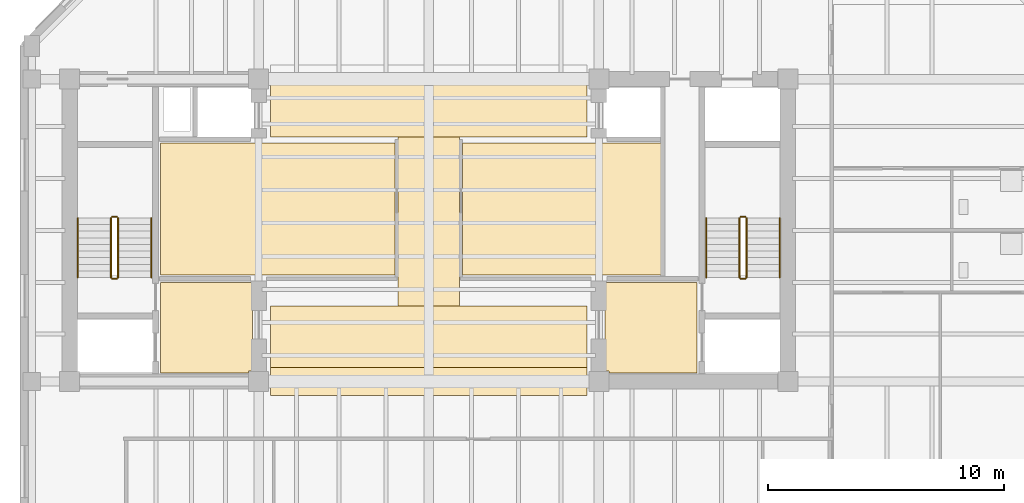
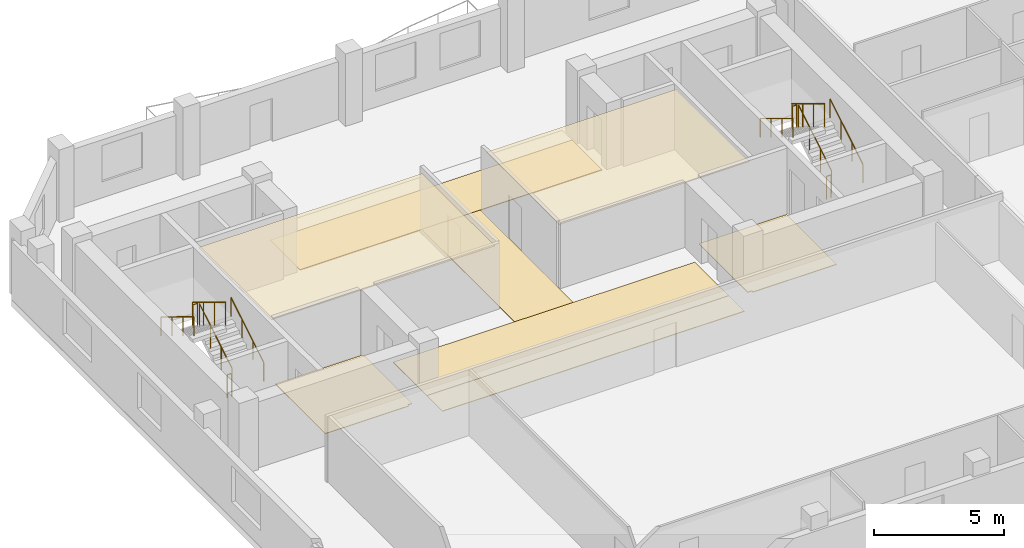
# One storey, part 7 of 9: 12 railings, 8 coverings.
"""IFC4 building model written with IfcOpenShell, lengths in metres."""

from ifc_helpers import new_model, si_unit, direction, frame, origin, origin_2d, place, context, subcontext, project, spatial, polyline, circle, outline, extrude, material, layer, layer_set, type_object, element, save


model = new_model("IFC4")

# Units and contexts
model_context = context("Model", 3, precision=1e-05, world=origin(), true_north=direction((0.0, 1.0)))
body_context = subcontext(model_context, "Body", "Model", "MODEL_VIEW")
ifc_project = project(units=[si_unit("LENGTHUNIT", "METRE"), si_unit("AREAUNIT", "SQUARE_METRE"), si_unit("VOLUMEUNIT", "CUBIC_METRE"), si_unit("PLANEANGLEUNIT", "RADIAN"), si_unit("MASSUNIT", "GRAM", prefix="KILO")], contexts=[model_context])

# Site, building, storey
site_placement = place(None, origin())
site = spatial("IfcSite", under=ifc_project, at=site_placement, CompositionType="ELEMENT")
building_placement = place(site_placement, origin())
building = spatial("IfcBuilding", under=site, at=building_placement, Name="Kranthara Brick Stack", CompositionType="ELEMENT")
storey_placement = place(building_placement, frame((0.0, 0.0, 241.5)))
storey = spatial("IfcBuildingStorey", under=building, at=storey_placement, Name="L63", CompositionType="ELEMENT", Elevation=241.5)

# Coverings
ifc_material_1 = material(Name="Perforated mineral-fibre acoustic ceiling tile", Category="other")
ifc_layer_1 = layer(ifc_material_1, 0.02490234375)
ifc_layer_set_1 = layer_set([ifc_layer_1], Name="Perforated mineral-fibre acoustic ceiling tile")
covering_type_1 = type_object("IfcCoveringType", Name="COV-CEIL-ACOUSTIC", PredefinedType="CEILING", material=ifc_layer_set_1)
covering_1_placement = place(storey_placement, frame((0.0, 0.0, 2.830078125)))
element("IfcCovering", 1, at=covering_1_placement, inside=storey, type_object=covering_type_1, Name="L63 L63 Sky Club Library and Study Acoustic Ceiling", PredefinedType="CEILING", context=body_context, shape_type="SweptSolid", body=[
    extrude(outline(polyline([(26.570068359375, 25.300048828125), (26.570068359375, 30.89990234375), (16.64990234375, 30.89990234375), (16.64990234375, 25.300048828125), (26.570068359375, 25.300048828125)])), origin(), (0.0, 0.0, 1.0), 0.02490234375),
])
covering_2_placement = place(storey_placement, frame((0.0, 0.0, 2.830078125)))
element("IfcCovering", 2, at=covering_2_placement, inside=storey, type_object=covering_type_1, Name="L63 L63 Sky Club Lounge and Salon Acoustic Ceiling", PredefinedType="CEILING", context=body_context, shape_type="SweptSolid", body=[
    extrude(outline(polyline([(37.8798828125, 25.300048828125), (37.8798828125, 30.89990234375), (29.429931640625, 30.89990234375), (29.429931640625, 25.300048828125), (37.8798828125, 25.300048828125)])), origin(), (0.0, 0.0, 1.0), 0.02490234375),
])
ifc_material_2 = material(Name="Honed terrazzo and porcelain floor finish", Category="stone")
ifc_layer_2 = layer(ifc_material_2, 0.030029296875)
ifc_layer_set_2 = layer_set([ifc_layer_2], Name="Honed terrazzo and porcelain floor finish")
covering_type_2 = type_object("IfcCoveringType", Name="COV-FLOR-STONE", PredefinedType="FLOORING", material=ifc_layer_set_2)
covering_3_placement = place(storey_placement, origin())
element("IfcCovering", 3, at=covering_3_placement, inside=storey, type_object=covering_type_2, Name="L63 Lift Lobby Stone Flooring", PredefinedType="FLOORING", context=body_context, shape_type="SweptSolid", body=[
    extrude(outline(polyline([(16.64990234375, 21.14990234375), (16.64990234375, 25.0), (20.550048828125, 25.0), (20.550048828125, 21.235107421875), (20.364990234375, 21.235107421875), (20.364990234375, 21.14990234375), (16.64990234375, 21.14990234375)])), origin(), (0.0, 0.0, 1.0), 0.030029296875),
])
covering_4_placement = place(storey_placement, origin())
element("IfcCovering", 4, at=covering_4_placement, inside=storey, type_object=covering_type_2, Name="L63 Lift Lobby Stone Flooring", PredefinedType="FLOORING", context=body_context, shape_type="SweptSolid", body=[
    extrude(outline(polyline([(35.449951171875, 25.0), (39.35009765625, 25.0), (39.35009765625, 21.14990234375), (35.635009765625, 21.14990234375), (35.635009765625, 21.235107421875), (35.449951171875, 21.235107421875), (35.449951171875, 25.0)])), origin(), (0.0, 0.0, 1.0), 0.030029296875),
])
covering_5_placement = place(storey_placement, origin())
element("IfcCovering", 5, at=covering_5_placement, inside=storey, type_object=covering_type_2, Name="L63 Lift Lobby Stone Flooring", PredefinedType="FLOORING", context=body_context, shape_type="SweptSolid", body=[
    extrude(outline(polyline([(34.699951171875, 21.39990234375), (34.699951171875, 24.0), (21.300048828125, 24.0), (21.300048828125, 21.39990234375), (34.699951171875, 21.39990234375)])), origin(), (0.0, 0.0, 1.0), 0.030029296875),
])
covering_6_placement = place(storey_placement, origin())
element("IfcCovering", 6, at=covering_6_placement, inside=storey, type_object=covering_type_2, Name="L63 Lift Lobby Stone Flooring", PredefinedType="FLOORING", context=body_context, shape_type="SweptSolid", body=[
    extrude(outline(polyline([(34.699951171875, 31.14990234375), (34.699951171875, 33.449951171875), (21.300048828125, 33.449951171875), (21.300048828125, 31.14990234375), (34.699951171875, 31.14990234375)])), origin(), (0.0, 0.0, 1.0), 0.030029296875),
])
covering_7_placement = place(storey_placement, origin())
element("IfcCovering", 7, at=covering_7_placement, inside=storey, type_object=covering_type_2, Name="L63 Lift Lobby Stone Flooring", PredefinedType="FLOORING", context=body_context, shape_type="SweptSolid", body=[
    extrude(outline(polyline([(29.300048828125, 24.0), (26.699951171875, 24.0), (26.699951171875, 31.14990234375), (29.300048828125, 31.14990234375), (29.300048828125, 24.0)])), origin(), (0.0, 0.0, 1.0), 0.030029296875),
])
covering_8_placement = place(storey_placement, origin())
element("IfcCovering", 8, at=covering_8_placement, inside=storey, type_object=covering_type_2, Name="L63 Lift Lobby Stone Flooring", PredefinedType="FLOORING", context=body_context, shape_type="SweptSolid", body=[
    extrude(outline(polyline([(34.699951171875, 20.199951171875), (21.300048828125, 20.199951171875), (21.300048828125, 21.39990234375), (34.699951171875, 21.39990234375), (34.699951171875, 20.199951171875)])), origin(), (0.0, 0.0, 1.0), 0.030029296875),
])

# Railings
ifc_material_3 = material(Name="Painted galvanized steel stair guardrail", Category="steel")
railing_type_1 = type_object("IfcRailingType", Name="RL-STAIR-GUARD-1100", PredefinedType="GUARDRAIL", material=ifc_material_3)
railing_1_placement = place(storey_placement, frame((14.85009765625, 25.199951171875, 0.169921875)))
element("IfcRailing", 9, at=railing_1_placement, inside=storey, type_object=railing_type_1, Name="L63 ST01 stair guard 1", PredefinedType="GUARDRAIL", context=body_context, shape_type="SweptSolid", body=[
    extrude(circle(Radius=0.02392578125, at=origin_2d()), frame((0.0, 0.0, 1.076171875), z_axis=(0.0, 0.85478489116, 0.518982456201), x_axis=(-1.0, 0.0, 0.0)), (0.0, 0.0, 1.0), 2.9482421875),
    extrude(circle(Radius=0.02099609375, at=origin_2d()), origin(), (0.0, 0.0, 1.0), 1.052001953125),
    extrude(circle(Radius=0.02099609375, at=origin_2d()), frame((0.0, 0.840087890625, 0.510009765625)), (0.0, 0.0, 1.0), 1.052001953125),
    extrude(circle(Radius=0.02099609375, at=origin_2d()), frame((0.0, 1.679931640625, 1.02001953125)), (0.0, 0.0, 1.0), 1.052001953125),
    extrude(circle(Radius=0.02099609375, at=origin_2d()), frame((0.0, 2.52001953125, 1.530029296875)), (0.0, 0.0, 1.0), 1.052001953125),
])
railing_2_placement = place(storey_placement, frame((14.800048828125, 27.77001953125, 1.699951171875)))
element("IfcRailing", 10, at=railing_2_placement, inside=storey, type_object=railing_type_1, Name="L63 ST01 stair guard 2", PredefinedType="GUARDRAIL", context=body_context, shape_type="SweptSolid", body=[
    extrude(circle(Radius=0.02392578125, at=origin_2d()), frame((0.0, 0.0, 1.076171875), z_axis=(-1.0, 0.0, 0.0), x_axis=(0.0, -1.0, 0.0)), (0.0, 0.0, 1.0), 0.199951171875),
    extrude(circle(Radius=0.02099609375, at=origin_2d()), origin(), (0.0, 0.0, 1.0), 1.052001953125),
    extrude(circle(Radius=0.02099609375, at=origin_2d()), frame((-0.199951171875, 0.0, 0.0)), (0.0, 0.0, 1.0), 1.052001953125),
])
railing_3_placement = place(storey_placement, frame((14.550048828125, 27.719970703125, 1.8701171875)))
element("IfcRailing", 11, at=railing_3_placement, inside=storey, type_object=railing_type_1, Name="L63 ST01 stair guard 3", PredefinedType="GUARDRAIL", context=body_context, shape_type="SweptSolid", body=[
    extrude(circle(Radius=0.02392578125, at=origin_2d()), frame((0.0, 0.0, 1.076171875), z_axis=(0.0, -0.854821627497, 0.518921945155), x_axis=(1.0, 0.0, 0.0)), (0.0, 0.0, 1.0), 2.947998046875),
    extrude(circle(Radius=0.02099609375, at=origin_2d()), origin(), (0.0, 0.0, 1.0), 1.052001953125),
    extrude(circle(Radius=0.02099609375, at=origin_2d()), frame((0.0, -0.840087890625, 0.510009765625)), (0.0, 0.0, 1.0), 1.052001953125),
    extrude(circle(Radius=0.02099609375, at=origin_2d()), frame((0.0, -1.679931640625, 1.019775390625)), (0.0, 0.0, 1.0), 1.052001953125),
    extrude(circle(Radius=0.02099609375, at=origin_2d()), frame((0.0, -2.52001953125, 1.52978515625)), (0.0, 0.0, 1.0), 1.052001953125),
])
railing_4_placement = place(storey_placement, frame((14.800048828125, 25.14990234375, 0.0)))
element("IfcRailing", 12, at=railing_4_placement, inside=storey, type_object=railing_type_1, Name="L63 ST01 stair guard 4", PredefinedType="GUARDRAIL", context=body_context, shape_type="SweptSolid", body=[
    extrude(circle(Radius=0.02392578125, at=origin_2d()), frame((0.0, 0.0, 1.076171875), z_axis=(-1.0, 0.0, 0.0), x_axis=(0.0, -1.0, 0.0)), (0.0, 0.0, 1.0), 0.199951171875),
    extrude(circle(Radius=0.02099609375, at=origin_2d()), origin(), (0.0, 0.0, 1.0), 1.052001953125),
    extrude(circle(Radius=0.02099609375, at=origin_2d()), frame((-0.199951171875, 0.0, 0.0)), (0.0, 0.0, 1.0), 1.052001953125),
])
railing_5_placement = place(storey_placement, frame((41.449951171875, 25.199951171875, 0.169921875)))
element("IfcRailing", 13, at=railing_5_placement, inside=storey, type_object=railing_type_1, Name="L63 ST02 stair guard 1", PredefinedType="GUARDRAIL", context=body_context, shape_type="SweptSolid", body=[
    extrude(circle(Radius=0.02392578125, at=origin_2d()), frame((0.0, 0.0, 1.076171875), z_axis=(0.0, 0.85478489116, 0.518982456201), x_axis=(-1.0, 0.0, 0.0)), (0.0, 0.0, 1.0), 2.9482421875),
    extrude(circle(Radius=0.02099609375, at=origin_2d()), origin(), (0.0, 0.0, 1.0), 1.052001953125),
    extrude(circle(Radius=0.02099609375, at=origin_2d()), frame((0.0, 0.840087890625, 0.510009765625)), (0.0, 0.0, 1.0), 1.052001953125),
    extrude(circle(Radius=0.02099609375, at=origin_2d()), frame((0.0, 1.679931640625, 1.02001953125)), (0.0, 0.0, 1.0), 1.052001953125),
    extrude(circle(Radius=0.02099609375, at=origin_2d()), frame((0.0, 2.52001953125, 1.530029296875)), (0.0, 0.0, 1.0), 1.052001953125),
])
railing_6_placement = place(storey_placement, frame((41.39990234375, 27.77001953125, 1.699951171875)))
element("IfcRailing", 14, at=railing_6_placement, inside=storey, type_object=railing_type_1, Name="L63 ST02 stair guard 2", PredefinedType="GUARDRAIL", context=body_context, shape_type="SweptSolid", body=[
    extrude(circle(Radius=0.02392578125, at=origin_2d()), frame((0.0, 0.0, 1.076171875), z_axis=(-1.0, 0.0, 0.0), x_axis=(0.0, -1.0, 0.0)), (0.0, 0.0, 1.0), 0.199951171875),
    extrude(circle(Radius=0.02099609375, at=origin_2d()), origin(), (0.0, 0.0, 1.0), 1.052001953125),
    extrude(circle(Radius=0.02099609375, at=origin_2d()), frame((-0.199951171875, 0.0, 0.0)), (0.0, 0.0, 1.0), 1.052001953125),
])
railing_7_placement = place(storey_placement, frame((41.14990234375, 27.719970703125, 1.8701171875)))
element("IfcRailing", 15, at=railing_7_placement, inside=storey, type_object=railing_type_1, Name="L63 ST02 stair guard 3", PredefinedType="GUARDRAIL", context=body_context, shape_type="SweptSolid", body=[
    extrude(circle(Radius=0.02392578125, at=origin_2d()), frame((0.0, 0.0, 1.076171875), z_axis=(0.0, -0.854821627497, 0.518921945155), x_axis=(1.0, 0.0, 0.0)), (0.0, 0.0, 1.0), 2.947998046875),
    extrude(circle(Radius=0.02099609375, at=origin_2d()), origin(), (0.0, 0.0, 1.0), 1.052001953125),
    extrude(circle(Radius=0.02099609375, at=origin_2d()), frame((0.0, -0.840087890625, 0.510009765625)), (0.0, 0.0, 1.0), 1.052001953125),
    extrude(circle(Radius=0.02099609375, at=origin_2d()), frame((0.0, -1.679931640625, 1.019775390625)), (0.0, 0.0, 1.0), 1.052001953125),
    extrude(circle(Radius=0.02099609375, at=origin_2d()), frame((0.0, -2.52001953125, 1.52978515625)), (0.0, 0.0, 1.0), 1.052001953125),
])
railing_8_placement = place(storey_placement, frame((41.39990234375, 25.14990234375, 0.0)))
element("IfcRailing", 16, at=railing_8_placement, inside=storey, type_object=railing_type_1, Name="L63 ST02 stair guard 4", PredefinedType="GUARDRAIL", context=body_context, shape_type="SweptSolid", body=[
    extrude(circle(Radius=0.02392578125, at=origin_2d()), frame((0.0, 0.0, 1.076171875), z_axis=(-1.0, 0.0, 0.0), x_axis=(0.0, -1.0, 0.0)), (0.0, 0.0, 1.0), 0.199951171875),
    extrude(circle(Radius=0.02099609375, at=origin_2d()), origin(), (0.0, 0.0, 1.0), 1.052001953125),
    extrude(circle(Radius=0.02099609375, at=origin_2d()), frame((-0.199951171875, 0.0, 0.0)), (0.0, 0.0, 1.0), 1.052001953125),
])
ifc_material_4 = material(Name="Brushed stainless steel tubular handrail", Category="steel")
railing_type_2 = type_object("IfcRailingType", Name="RL-STAIR-HAND-900", PredefinedType="HANDRAIL", material=ifc_material_4)
railing_9_placement = place(storey_placement, frame((16.25, 25.199951171875, 0.169921875)))
element("IfcRailing", 17, at=railing_9_placement, inside=storey, type_object=railing_type_2, Name="L63 ST01 stair handrail 1", PredefinedType="HANDRAIL", context=body_context, shape_type="SweptSolid", body=[
    extrude(circle(Radius=0.02392578125, at=origin_2d()), frame((0.0, 0.0, 0.8759765625), z_axis=(0.0, 0.85478489116, 0.518982456201), x_axis=(-1.0, 0.0, 0.0)), (0.0, 0.0, 1.0), 2.9482421875),
    extrude(circle(Radius=0.02099609375, at=origin_2d()), origin(), (0.0, 0.0, 1.0), 0.851806640625),
    extrude(circle(Radius=0.02099609375, at=origin_2d()), frame((0.0, 0.840087890625, 0.510009765625)), (0.0, 0.0, 1.0), 0.851806640625),
    extrude(circle(Radius=0.02099609375, at=origin_2d()), frame((0.0, 1.679931640625, 1.02001953125)), (0.0, 0.0, 1.0), 0.851806640625),
    extrude(circle(Radius=0.02099609375, at=origin_2d()), frame((0.0, 2.52001953125, 1.530029296875)), (0.0, 0.0, 1.0), 0.851806640625),
])
railing_10_placement = place(storey_placement, frame((13.14990234375, 27.719970703125, 1.8701171875)))
element("IfcRailing", 18, at=railing_10_placement, inside=storey, type_object=railing_type_2, Name="L63 ST01 stair handrail 2", PredefinedType="HANDRAIL", context=body_context, shape_type="SweptSolid", body=[
    extrude(circle(Radius=0.02392578125, at=origin_2d()), frame((0.0, 0.0, 0.8759765625), z_axis=(0.0, -0.854821627497, 0.518921945155), x_axis=(1.0, 0.0, 0.0)), (0.0, 0.0, 1.0), 2.947998046875),
    extrude(circle(Radius=0.02099609375, at=origin_2d()), origin(), (0.0, 0.0, 1.0), 0.851806640625),
    extrude(circle(Radius=0.02099609375, at=origin_2d()), frame((0.0, -0.840087890625, 0.510009765625)), (0.0, 0.0, 1.0), 0.851806640625),
    extrude(circle(Radius=0.02099609375, at=origin_2d()), frame((0.0, -1.679931640625, 1.019775390625)), (0.0, 0.0, 1.0), 0.851806640625),
    extrude(circle(Radius=0.02099609375, at=origin_2d()), frame((0.0, -2.52001953125, 1.52978515625)), (0.0, 0.0, 1.0), 0.851806640625),
])
railing_11_placement = place(storey_placement, frame((42.85009765625, 25.199951171875, 0.169921875)))
element("IfcRailing", 19, at=railing_11_placement, inside=storey, type_object=railing_type_2, Name="L63 ST02 stair handrail 1", PredefinedType="HANDRAIL", context=body_context, shape_type="SweptSolid", body=[
    extrude(circle(Radius=0.02392578125, at=origin_2d()), frame((0.0, 0.0, 0.8759765625), z_axis=(0.0, 0.85478489116, 0.518982456201), x_axis=(-1.0, 0.0, 0.0)), (0.0, 0.0, 1.0), 2.9482421875),
    extrude(circle(Radius=0.02099609375, at=origin_2d()), origin(), (0.0, 0.0, 1.0), 0.851806640625),
    extrude(circle(Radius=0.02099609375, at=origin_2d()), frame((0.0, 0.840087890625, 0.510009765625)), (0.0, 0.0, 1.0), 0.851806640625),
    extrude(circle(Radius=0.02099609375, at=origin_2d()), frame((0.0, 1.679931640625, 1.02001953125)), (0.0, 0.0, 1.0), 0.851806640625),
    extrude(circle(Radius=0.02099609375, at=origin_2d()), frame((0.0, 2.52001953125, 1.530029296875)), (0.0, 0.0, 1.0), 0.851806640625),
])
railing_12_placement = place(storey_placement, frame((39.75, 27.719970703125, 1.8701171875)))
element("IfcRailing", 20, at=railing_12_placement, inside=storey, type_object=railing_type_2, Name="L63 ST02 stair handrail 2", PredefinedType="HANDRAIL", context=body_context, shape_type="SweptSolid", body=[
    extrude(circle(Radius=0.02392578125, at=origin_2d()), frame((0.0, 0.0, 0.8759765625), z_axis=(0.0, -0.854821627497, 0.518921945155), x_axis=(1.0, 0.0, 0.0)), (0.0, 0.0, 1.0), 2.947998046875),
    extrude(circle(Radius=0.02099609375, at=origin_2d()), origin(), (0.0, 0.0, 1.0), 0.851806640625),
    extrude(circle(Radius=0.02099609375, at=origin_2d()), frame((0.0, -0.840087890625, 0.510009765625)), (0.0, 0.0, 1.0), 0.851806640625),
    extrude(circle(Radius=0.02099609375, at=origin_2d()), frame((0.0, -1.679931640625, 1.019775390625)), (0.0, 0.0, 1.0), 0.851806640625),
    extrude(circle(Radius=0.02099609375, at=origin_2d()), frame((0.0, -2.52001953125, 1.52978515625)), (0.0, 0.0, 1.0), 0.851806640625),
])

save(model, "model.ifc")
